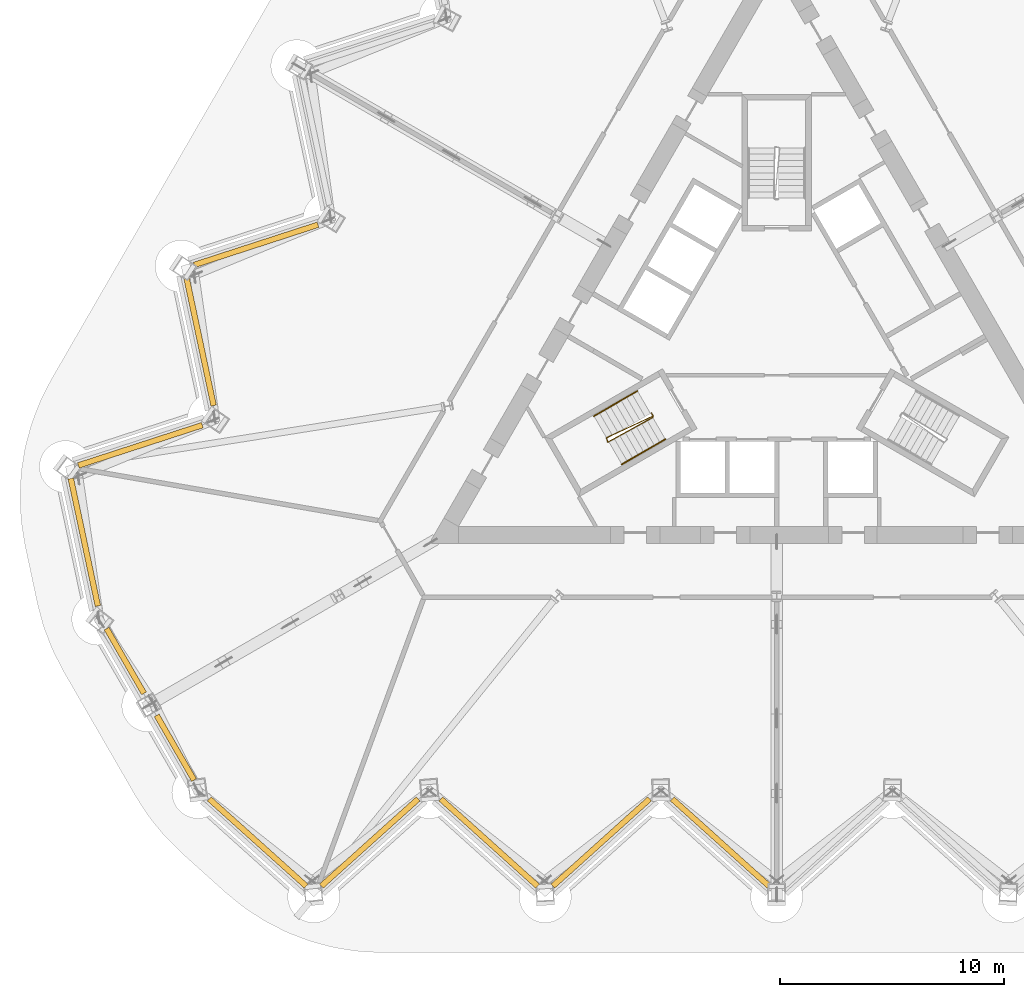
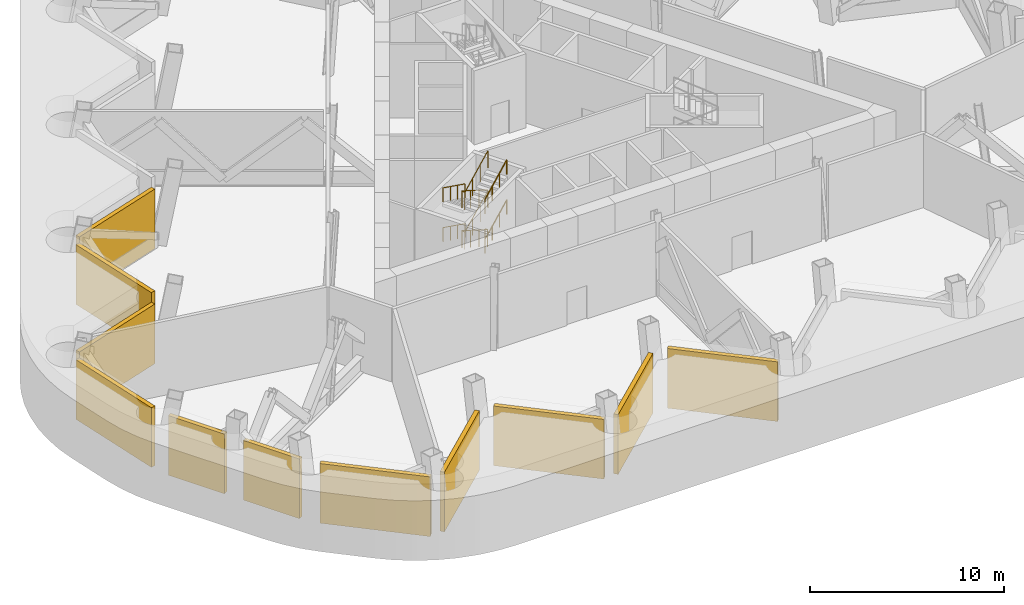
# One storey, part 12 of 13: 11 shading devices, 5 railings.
"""IFC4 building model written with IfcOpenShell, lengths in metres."""

from ifc_helpers import new_model, si_unit, direction, frame, origin, origin_2d, place, context, subcontext, project, spatial, rectangle, circle, extrude, material, layer, layer_set, type_object, element, save


model = new_model("IFC4")

# Units and contexts
model_context = context("Model", 3, precision=1e-05, world=origin(), true_north=direction((0.0, 1.0)))
body_context = subcontext(model_context, "Body", "Model", "MODEL_VIEW")
ifc_project = project(units=[si_unit("LENGTHUNIT", "METRE"), si_unit("AREAUNIT", "SQUARE_METRE"), si_unit("VOLUMEUNIT", "CUBIC_METRE"), si_unit("PLANEANGLEUNIT", "RADIAN"), si_unit("MASSUNIT", "GRAM", prefix="KILO")], contexts=[model_context])

# Site, building, storey
site_placement = place(None, origin())
site = spatial("IfcSite", under=ifc_project, at=site_placement, CompositionType="ELEMENT")
building_placement = place(site_placement, origin())
building = spatial("IfcBuilding", under=site, at=building_placement, Name="Cormorant Prow Tower", CompositionType="ELEMENT")
storey_placement = place(building_placement, frame((0.0, 0.0, 226.0)))
storey = spatial("IfcBuildingStorey", under=building, at=storey_placement, Name="L49", CompositionType="ELEMENT", Elevation=226.0)

# Shading devices
ifc_material_1 = material(Name="Aluminium 6063-T6", Category="aluminium")
ifc_layer_1 = layer(ifc_material_1, 0.25)
ifc_layer_set_1 = layer_set([ifc_layer_1], Name="Aluminium 6063-T6")
shading_device_type_1 = type_object("IfcShadingDeviceType", Name="Plant storey louvre panel 3334x250x3750", PredefinedType="USERDEFINED", material=ifc_layer_set_1)
for number, where, z_axis, x_axis, name in (
    (1, (-29.068115234375, -14.201416015625, 0.0), (0.0, 0.0, 1.0), (0.500000001708, -0.866025402798, 0.0), "Plant storey louvre WSW00"),
    (2, (-26.8330078125, -18.072998046875, 0.0), (0.0, 0.0, 1.0), (0.499999904851, -0.866025458719, 0.0), "Plant storey louvre WSW01"),
):
    element("IfcShadingDevice", number, at=place(storey_placement, frame(where, z_axis=z_axis, x_axis=x_axis)), inside=storey, type_object=shading_device_type_1, Name=name, ObjectType="LOUVRE", PredefinedType="USERDEFINED", context=body_context, shape_type="SweptSolid", body=[
        extrude(rectangle(XDim=3.33447265625, YDim=0.25, at=origin_2d()), origin(), (0.0, 0.0, 1.0), 3.75),
    ])
ifc_material_2 = material(Name="Aluminium 6063-T6", Category="aluminium")
ifc_layer_2 = layer(ifc_material_2, 0.25)
ifc_layer_set_2 = layer_set([ifc_layer_2], Name="Aluminium 6063-T6")
shading_device_type_2 = type_object("IfcShadingDeviceType", Name="Plant storey louvre panel 5814x250x3750", PredefinedType="USERDEFINED", material=ifc_layer_set_2)
for number, where, z_axis, x_axis, name in (
    (3, (-23.157470703125, -22.303466796875, 0.0), (0.0, 0.0, 1.0), (0.743144888098, -0.669130536812, 0.0), "Plant storey louvre S00"),
    (4, (-18.16015625, -22.303466796875, 0.0), (0.0, 0.0, 1.0), (0.743144823679, 0.669130608356, 0.0), "Plant storey louvre S01"),
    (5, (-12.828125, -22.303466796875, 0.0), (0.0, 0.0, 1.0), (0.743144823679, -0.669130608356, 0.0), "Plant storey louvre S02"),
    (6, (-7.830810546875, -22.303466796875, 0.0), (0.0, 0.0, 1.0), (0.743144888098, 0.669130536812, 0.0), "Plant storey louvre S03"),
    (7, (-2.498779296875, -22.303466796875, 0.0), (0.0, 0.0, 1.0), (0.743144823679, -0.669130608356, 0.0), "Plant storey louvre S04"),
    (8, (-23.230712890625, 4.3701171875, 0.0), (0.0, 0.0, 1.0), (-0.951056544583, -0.309016907313, 0.0), "Plant storey louvre WNW06"),
    (9, (-25.7294921875, 0.042236328125, 0.0), (0.0, 0.0, 1.0), (0.207911607797, -0.97814761838, 0.0), "Plant storey louvre WNW07"),
    (10, (-28.3955078125, -4.575439453125, 0.0), (0.0, 0.0, 1.0), (-0.951056502294, -0.309017037466, 0.0), "Plant storey louvre WNW08"),
    (11, (-30.894287109375, -8.9033203125, 0.0), (0.0, 0.0, 1.0), (0.207911745465, -0.978147589118, 0.0), "Plant storey louvre WNW09"),
):
    element("IfcShadingDevice", number, at=place(storey_placement, frame(where, z_axis=z_axis, x_axis=x_axis)), inside=storey, type_object=shading_device_type_2, Name=name, ObjectType="LOUVRE", PredefinedType="USERDEFINED", context=body_context, shape_type="SweptSolid", body=[
        extrude(rectangle(XDim=5.813720703125, YDim=0.25, at=origin_2d()), origin(), (0.0, 0.0, 1.0), 3.75),
    ])

# Railings
ifc_material_3 = material(Name="Stainless steel", Category="steel")
railing_type_1 = type_object("IfcRailingType", Name="Stair guard 1100", PredefinedType="GUARDRAIL", material=ifc_material_3)
railing_1_placement = place(storey_placement, frame((-5.585205078125, -3.137939453125, 0.0)))
element("IfcRailing", 12, at=railing_1_placement, inside=storey, type_object=railing_type_1, Name="L49 ST1 stair guard 1", PredefinedType="GUARDRAIL", context=body_context, shape_type="SweptSolid", body=[
    extrude(circle(Radius=0.02392578125, at=origin_2d()), frame((0.0, 0.0, 1.076171875), z_axis=(0.501036270542, -0.865426285481, 0.0), x_axis=(0.865426285481, 0.501036270542, 0.0)), (0.0, 0.0, 1.0), 0.150146484375),
    extrude(circle(Radius=0.02392578125, at=origin_2d()), frame((0.0751953125, -0.1298828125, 1.076171875), z_axis=(-0.796139674623, -0.37143232681, 0.477702465026), x_axis=(0.422792438952, -0.906226546491, 0.0)), (0.0, 0.0, 1.0), 2.61669921875),
    extrude(circle(Radius=0.02392578125, at=origin_2d()), frame((-2.008056640625, -1.101806640625, 2.326171875), z_axis=(0.275034262293, -0.961434425515, 0.0), x_axis=(0.961434425515, 0.275034262293, 0.0)), (0.0, 0.0, 1.0), 0.2060546875),
    extrude(circle(Radius=0.02392578125, at=origin_2d()), frame((-1.951416015625, -1.2998046875, 2.326171875), z_axis=(0.76962706216, 0.422144092447, 0.479028757386), x_axis=(-0.480911908544, 0.87676891837, 0.0)), (0.0, 0.0, 1.0), 2.609375),
    extrude(circle(Radius=0.02392578125, at=origin_2d()), frame((0.056884765625, -0.1982421875, 3.576171875), z_axis=(0.258736085224, 0.965948051503, 0.0), x_axis=(-0.965948051503, 0.258736085224, 0.0)), (0.0, 0.0, 1.0), 0.07080078125),
    extrude(circle(Radius=0.02392578125, at=origin_2d()), frame((0.0751953125, -0.1298828125, 3.576171875), z_axis=(-0.796139674623, -0.37143232681, 0.477702465026), x_axis=(0.422792438952, -0.906226546491, 0.0)), (0.0, 0.0, 1.0), 2.61669921875),
    extrude(circle(Radius=0.02392578125, at=origin_2d()), frame((-2.008056640625, -1.101806640625, 4.826171875), z_axis=(0.275034262293, -0.961434425515, 0.0), x_axis=(0.961434425515, 0.275034262293, 0.0)), (0.0, 0.0, 1.0), 0.2060546875),
    extrude(circle(Radius=0.02392578125, at=origin_2d()), frame((-1.951416015625, -1.2998046875, 4.826171875), z_axis=(0.76962706216, 0.422144092447, 0.479028757386), x_axis=(-0.480911908544, 0.87676891837, 0.0)), (0.0, 0.0, 1.0), 2.609375),
    extrude(circle(Radius=0.02099609375, at=origin_2d()), origin(), (0.0, 0.0, 1.0), 1.052001953125),
    extrude(circle(Radius=0.02099609375, at=origin_2d()), frame((0.0751953125, -0.1298828125, 0.0)), (0.0, 0.0, 1.0), 1.052001953125),
    extrude(circle(Radius=0.02099609375, at=origin_2d()), frame((-0.619140625, -0.453857421875, 0.416748046875)), (0.0, 0.0, 1.0), 1.052001953125),
    extrude(circle(Radius=0.02099609375, at=origin_2d()), frame((-1.313720703125, -0.77783203125, 0.833251953125)), (0.0, 0.0, 1.0), 1.052001953125),
    extrude(circle(Radius=0.02099609375, at=origin_2d()), frame((-2.008056640625, -1.101806640625, 1.25)), (0.0, 0.0, 1.0), 1.052001953125),
    extrude(circle(Radius=0.02099609375, at=origin_2d()), frame((-1.951416015625, -1.2998046875, 1.25)), (0.0, 0.0, 1.0), 1.052001953125),
    extrude(circle(Radius=0.02099609375, at=origin_2d()), frame((-1.281982421875, -0.9326171875, 1.666748046875)), (0.0, 0.0, 1.0), 1.052001953125),
    extrude(circle(Radius=0.02099609375, at=origin_2d()), frame((-0.612548828125, -0.5654296875, 2.083251953125)), (0.0, 0.0, 1.0), 1.052001953125),
    extrude(circle(Radius=0.02099609375, at=origin_2d()), frame((0.056884765625, -0.1982421875, 2.5)), (0.0, 0.0, 1.0), 1.052001953125),
    extrude(circle(Radius=0.02099609375, at=origin_2d()), frame((0.0751953125, -0.1298828125, 2.5)), (0.0, 0.0, 1.0), 1.052001953125),
    extrude(circle(Radius=0.02099609375, at=origin_2d()), frame((-0.619140625, -0.453857421875, 2.916748046875)), (0.0, 0.0, 1.0), 1.052001953125),
    extrude(circle(Radius=0.02099609375, at=origin_2d()), frame((-1.313720703125, -0.77783203125, 3.333251953125)), (0.0, 0.0, 1.0), 1.052001953125),
    extrude(circle(Radius=0.02099609375, at=origin_2d()), frame((-2.008056640625, -1.101806640625, 3.75)), (0.0, 0.0, 1.0), 1.052001953125),
    extrude(circle(Radius=0.02099609375, at=origin_2d()), frame((-1.951416015625, -1.2998046875, 3.75)), (0.0, 0.0, 1.0), 1.052001953125),
    extrude(circle(Radius=0.02099609375, at=origin_2d()), frame((-1.281982421875, -0.9326171875, 4.166748046875)), (0.0, 0.0, 1.0), 1.052001953125),
    extrude(circle(Radius=0.02099609375, at=origin_2d()), frame((-0.612548828125, -0.5654296875, 4.583251953125)), (0.0, 0.0, 1.0), 1.052001953125),
    extrude(circle(Radius=0.02099609375, at=origin_2d()), frame((0.056884765625, -0.1982421875, 5.0)), (0.0, 0.0, 1.0), 1.052001953125),
])
ifc_material_4 = material(Name="Stainless steel", Category="steel")
railing_type_2 = type_object("IfcRailingType", Name="Stair handrail 900", PredefinedType="HANDRAIL", material=ifc_material_4)
railing_2_placement = place(storey_placement, frame((-6.212890625, -2.150634765625, 0.138916015625)))
element("IfcRailing", 13, at=railing_2_placement, inside=storey, type_object=railing_type_2, Name="L49 ST1 stair handrail 1", PredefinedType="HANDRAIL", context=body_context, shape_type="SweptSolid", body=[
    extrude(circle(Radius=0.02392578125, at=origin_2d()), frame((0.0, 0.0, 0.8759765625), z_axis=(-0.775852689126, -0.447877710172, 0.44436264639), x_axis=(0.49994888933, -0.866054910533, 0.0)), (0.0, 0.0, 1.0), 2.50048828125),
    extrude(circle(Radius=0.02099609375, at=origin_2d()), origin(), (0.0, 0.0, 1.0), 0.851806640625),
    extrude(circle(Radius=0.02099609375, at=origin_2d()), frame((-0.646728515625, -0.373291015625, 0.370361328125)), (0.0, 0.0, 1.0), 0.851806640625),
    extrude(circle(Radius=0.02099609375, at=origin_2d()), frame((-1.293212890625, -0.74658203125, 0.74072265625)), (0.0, 0.0, 1.0), 0.851806640625),
    extrude(circle(Radius=0.02099609375, at=origin_2d()), frame((-1.93994140625, -1.119873046875, 1.111083984375)), (0.0, 0.0, 1.0), 0.851806640625),
])
railing_3_placement = place(storey_placement, frame((-6.90869140625, -5.42529296875, 1.388916015625)))
element("IfcRailing", 14, at=railing_3_placement, inside=storey, type_object=railing_type_2, Name="L49 ST1 stair handrail 2", PredefinedType="HANDRAIL", context=body_context, shape_type="SweptSolid", body=[
    extrude(circle(Radius=0.02392578125, at=origin_2d()), frame((0.0, 0.0, 0.8759765625), z_axis=(0.775779884805, 0.447989693075, 0.44437687297), x_axis=(-0.500077830873, 0.865980463445, 0.0)), (0.0, 0.0, 1.0), 2.500244140625),
    extrude(circle(Radius=0.02099609375, at=origin_2d()), origin(), (0.0, 0.0, 1.0), 0.851806640625),
    extrude(circle(Radius=0.02099609375, at=origin_2d()), frame((0.646484375, 0.373291015625, 0.370361328125)), (0.0, 0.0, 1.0), 0.851806640625),
    extrude(circle(Radius=0.02099609375, at=origin_2d()), frame((1.293212890625, 0.746826171875, 0.74072265625)), (0.0, 0.0, 1.0), 0.851806640625),
    extrude(circle(Radius=0.02099609375, at=origin_2d()), frame((1.939697265625, 1.1201171875, 1.111083984375)), (0.0, 0.0, 1.0), 0.851806640625),
])
railing_4_placement = place(storey_placement, frame((-6.212890625, -2.150634765625, 2.638916015625)))
element("IfcRailing", 15, at=railing_4_placement, inside=storey, type_object=railing_type_2, Name="L49 ST1 stair handrail 3", PredefinedType="HANDRAIL", context=body_context, shape_type="SweptSolid", body=[
    extrude(circle(Radius=0.02392578125, at=origin_2d()), frame((0.0, 0.0, 0.8759765625), z_axis=(-0.775852689126, -0.447877710172, 0.44436264639), x_axis=(0.49994888933, -0.866054910533, 0.0)), (0.0, 0.0, 1.0), 2.50048828125),
    extrude(circle(Radius=0.02099609375, at=origin_2d()), origin(), (0.0, 0.0, 1.0), 0.851806640625),
    extrude(circle(Radius=0.02099609375, at=origin_2d()), frame((-0.646728515625, -0.373291015625, 0.370361328125)), (0.0, 0.0, 1.0), 0.851806640625),
    extrude(circle(Radius=0.02099609375, at=origin_2d()), frame((-1.293212890625, -0.74658203125, 0.74072265625)), (0.0, 0.0, 1.0), 0.851806640625),
    extrude(circle(Radius=0.02099609375, at=origin_2d()), frame((-1.93994140625, -1.119873046875, 1.111083984375)), (0.0, 0.0, 1.0), 0.851806640625),
])
railing_5_placement = place(storey_placement, frame((-6.90869140625, -5.42529296875, 3.888916015625)))
element("IfcRailing", 16, at=railing_5_placement, inside=storey, type_object=railing_type_2, Name="L49 ST1 stair handrail 4", PredefinedType="HANDRAIL", context=body_context, shape_type="SweptSolid", body=[
    extrude(circle(Radius=0.02392578125, at=origin_2d()), frame((0.0, 0.0, 0.8759765625), z_axis=(0.775779884805, 0.447989693075, 0.44437687297), x_axis=(-0.500077830873, 0.865980463445, 0.0)), (0.0, 0.0, 1.0), 2.500244140625),
    extrude(circle(Radius=0.02099609375, at=origin_2d()), origin(), (0.0, 0.0, 1.0), 0.851806640625),
    extrude(circle(Radius=0.02099609375, at=origin_2d()), frame((0.646484375, 0.373291015625, 0.370361328125)), (0.0, 0.0, 1.0), 0.851806640625),
    extrude(circle(Radius=0.02099609375, at=origin_2d()), frame((1.293212890625, 0.746826171875, 0.74072265625)), (0.0, 0.0, 1.0), 0.851806640625),
    extrude(circle(Radius=0.02099609375, at=origin_2d()), frame((1.939697265625, 1.1201171875, 1.111083984375)), (0.0, 0.0, 1.0), 0.851806640625),
])

save(model, "model.ifc")
